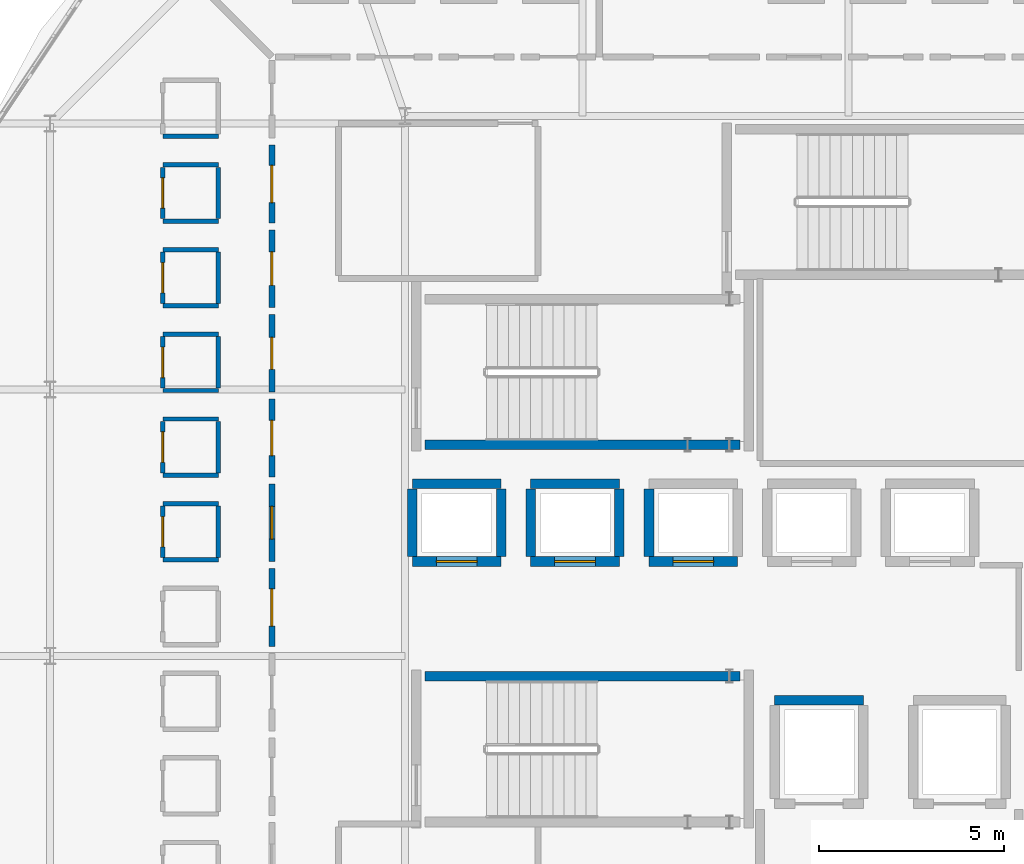
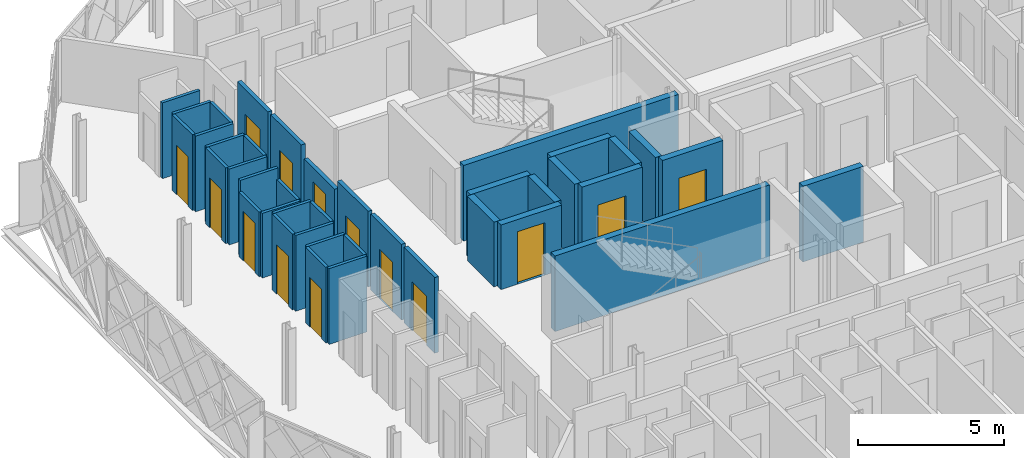
# One storey, part 15 of 25: 40 walls, 14 doors, 14 openings.
"""IFC4 building model written with IfcOpenShell, lengths in metres."""

from ifc_helpers import new_model, si_unit, direction, frame, frame_2d, origin, place, context, subcontext, project, spatial, rectangle, extrude, material, layer, layer_set, type_object, element, fill, save


model = new_model("IFC4")

# Units and contexts
model_context = context("Model", 3, precision=1e-05, world=origin(), true_north=direction((0.0, 1.0)))
body_context = subcontext(model_context, "Body", "Model", "MODEL_VIEW")
ifc_project = project(units=[si_unit("LENGTHUNIT", "METRE"), si_unit("AREAUNIT", "SQUARE_METRE"), si_unit("VOLUMEUNIT", "CUBIC_METRE"), si_unit("PLANEANGLEUNIT", "RADIAN"), si_unit("MASSUNIT", "GRAM", prefix="KILO")], contexts=[model_context])

# Site, building, storey
site_placement = place(None, origin())
site = spatial("IfcSite", under=ifc_project, at=site_placement, CompositionType="ELEMENT")
building_placement = place(site_placement, origin())
building = spatial("IfcBuilding", under=site, at=building_placement, Name="Zevrakil Square Congress Hotel", CompositionType="ELEMENT")
storey_placement = place(building_placement, frame((0.0, 0.0, 28.300048828125)))
storey = spatial("IfcBuildingStorey", under=building, at=storey_placement, Name="L08", CompositionType="ELEMENT", Elevation=28.300048828125)

# Wall, opening, door
ifc_material_1 = material(Name="Gypsum Acoustic Stud Partition")
ifc_layer_1 = layer(ifc_material_1, 0.159912109375)
ifc_layer_set_1 = layer_set([ifc_layer_1], Name="Gypsum Acoustic Stud Partition")
wall_type_1 = type_object("IfcWallType", Name="WAL-CORR-160", PredefinedType="PARTITIONING", material=ifc_layer_set_1)
wall_1_placement = place(storey_placement, frame((133.199951171875, 35.713134765625, 0.0), z_axis=(0.0, 0.0, 1.0), x_axis=(0.0, 1.0, 0.0)))
wall_1 = element("IfcWall", 1, at=wall_1_placement, inside=storey, type_object=wall_type_1, Name="L08 interior partition PW-L08-1298", PredefinedType="PARTITIONING", context=body_context, shape_type="SweptSolid", body=[
    extrude(rectangle(XDim=2.10107421875, YDim=0.159912109375, at=frame_2d((1.050537109375, 0.0))), origin(), (0.0, 0.0, 1.0), 3.175048828125),
])
opening_1_placement = place(wall_1_placement, frame((0.54638671875, 0.0, 0.0)))
opening_1 = element("IfcOpeningElement", 2, at=opening_1_placement, cuts=wall_1, Name="Opening ID-H14", PredefinedType="OPENING", context=body_context, shape_type="SweptSolid", body=[
    extrude(rectangle(XDim=1.008056640625, YDim=2.1298828125, at=frame_2d((0.50390625, 1.06494140625))), frame((0.0, 0.08984375, 0.0), z_axis=(0.0, -1.0, 0.0), x_axis=(1.0, 0.0, 0.0)), (0.0, 0.0, 1.0), 0.179931640625),
])
ifc_material_2 = material(Name="Acoustic Timber Fire Door", Category="wood")
door_type_1 = type_object("IfcDoorType", Name="DOR-INT-H14", OperationType="NOTDEFINED", PredefinedType="DOOR", material=ifc_material_2)
door_1_placement = place(opening_1_placement, origin())
door_1 = element("IfcDoor", 3, at=door_1_placement, inside=storey, type_object=door_type_1, Name="L08 interior door 507", OperationType="SINGLE_SWING_LEFT", OverallHeight=2.1298828125, OverallWidth=1.008056640625, PredefinedType="DOOR", context=body_context, shape_type="SweptSolid", body=[
    extrude(rectangle(XDim=1.008056640625, YDim=2.1298828125, at=frame_2d((0.50390625, 1.06494140625))), frame((0.0, 0.02490234375, 0.0), z_axis=(0.0, -1.0, 0.0), x_axis=(1.0, 0.0, 0.0)), (0.0, 0.0, 1.0), 0.050048828125),
])
fill(opening_1, door_1)

wall_2_placement = place(storey_placement, frame((133.199951171875, 33.42236328125, 0.0), z_axis=(0.0, 0.0, 1.0), x_axis=(0.0, 1.0, 0.0)))
wall_2 = element("IfcWall", 4, at=wall_2_placement, inside=storey, type_object=wall_type_1, Name="L08 interior partition PW-L08-1303", PredefinedType="PARTITIONING", context=body_context, shape_type="SweptSolid", body=[
    extrude(rectangle(XDim=2.100830078125, YDim=0.159912109375, at=frame_2d((1.05029296875, 0.0))), origin(), (0.0, 0.0, 1.0), 3.175048828125),
])
opening_2_placement = place(wall_2_placement, frame((0.597900390625, 0.0, 0.0)))
opening_2 = element("IfcOpeningElement", 5, at=opening_2_placement, cuts=wall_2, Name="Opening ID-G03", PredefinedType="OPENING", context=body_context, shape_type="SweptSolid", body=[
    extrude(rectangle(XDim=0.905029296875, YDim=2.050048828125, at=frame_2d((0.45263671875, 1.02490234375))), frame((0.0, 0.08984375, 0.0), z_axis=(0.0, -1.0, 0.0), x_axis=(1.0, 0.0, 0.0)), (0.0, 0.0, 1.0), 0.179931640625),
])
ifc_material_3 = material(Name="Acoustic Timber Fire Door", Category="wood")
door_type_2 = type_object("IfcDoorType", Name="DOR-INT-G03", OperationType="NOTDEFINED", PredefinedType="DOOR", material=ifc_material_3)
door_2_placement = place(opening_2_placement, origin())
door_2 = element("IfcDoor", 6, at=door_2_placement, inside=storey, type_object=door_type_2, Name="L08 interior door 509", OperationType="SINGLE_SWING_LEFT", OverallHeight=2.050048828125, OverallWidth=0.905029296875, PredefinedType="DOOR", context=body_context, shape_type="SweptSolid", body=[
    extrude(rectangle(XDim=0.905029296875, YDim=2.050048828125, at=frame_2d((0.45263671875, 1.02490234375))), frame((0.0, 0.02490234375, 0.0), z_axis=(0.0, -1.0, 0.0), x_axis=(1.0, 0.0, 0.0)), (0.0, 0.0, 1.0), 0.050048828125),
])
fill(opening_2, door_2)

wall_3_placement = place(storey_placement, frame((133.199951171875, 31.13134765625, 0.0), z_axis=(0.0, 0.0, 1.0), x_axis=(0.0, 1.0, 0.0)))
wall_3 = element("IfcWall", 7, at=wall_3_placement, inside=storey, type_object=wall_type_1, Name="L08 interior partition PW-L08-1308", PredefinedType="PARTITIONING", context=body_context, shape_type="SweptSolid", body=[
    extrude(rectangle(XDim=2.10107421875, YDim=0.159912109375, at=frame_2d((1.050537109375, 0.0))), origin(), (0.0, 0.0, 1.0), 2.7099609375),
])
opening_3_placement = place(wall_3_placement, frame((0.618408203125, 0.0, 0.0)))
opening_3 = element("IfcOpeningElement", 8, at=opening_3_placement, cuts=wall_3, Name="Opening ID-H02", PredefinedType="OPENING", context=body_context, shape_type="SweptSolid", body=[
    extrude(rectangle(XDim=0.864013671875, YDim=2.1298828125, at=frame_2d((0.43212890625, 1.06494140625))), frame((0.0, 0.08984375, 0.0), z_axis=(0.0, -1.0, 0.0), x_axis=(1.0, 0.0, 0.0)), (0.0, 0.0, 1.0), 0.179931640625),
])
ifc_material_4 = material(Name="Acoustic Timber Fire Door", Category="wood")
door_type_3 = type_object("IfcDoorType", Name="DOR-INT-H02", OperationType="NOTDEFINED", PredefinedType="DOOR", material=ifc_material_4)
door_3_placement = place(opening_3_placement, origin())
door_3 = element("IfcDoor", 9, at=door_3_placement, inside=storey, type_object=door_type_3, Name="L08 interior door 511", OperationType="SINGLE_SWING_LEFT", OverallHeight=2.1298828125, OverallWidth=0.864013671875, PredefinedType="DOOR", context=body_context, shape_type="SweptSolid", body=[
    extrude(rectangle(XDim=0.864013671875, YDim=2.1298828125, at=frame_2d((0.43212890625, 1.06494140625))), frame((0.0, 0.02490234375, 0.0), z_axis=(0.0, -1.0, 0.0), x_axis=(1.0, 0.0, 0.0)), (0.0, 0.0, 1.0), 0.050048828125),
])
fill(opening_3, door_3)

wall_4_placement = place(storey_placement, frame((133.199951171875, 28.840576171875, 0.0), z_axis=(0.0, 0.0, 1.0), x_axis=(0.0, 1.0, 0.0)))
wall_4 = element("IfcWall", 10, at=wall_4_placement, inside=storey, type_object=wall_type_1, Name="L08 interior partition PW-L08-1313", PredefinedType="PARTITIONING", context=body_context, shape_type="SweptSolid", body=[
    extrude(rectangle(XDim=2.100830078125, YDim=0.159912109375, at=frame_2d((1.05029296875, 0.0))), origin(), (0.0, 0.0, 1.0), 3.175048828125),
])
opening_4_placement = place(wall_4_placement, frame((0.572998046875, 0.0, 0.0)))
opening_4 = element("IfcOpeningElement", 11, at=opening_4_placement, cuts=wall_4, Name="Opening ID-G05", PredefinedType="OPENING", context=body_context, shape_type="SweptSolid", body=[
    extrude(rectangle(XDim=0.955078125, YDim=2.050048828125, at=frame_2d((0.4775390625, 1.02490234375))), frame((0.0, 0.08984375, 0.0), z_axis=(0.0, -1.0, 0.0), x_axis=(1.0, 0.0, 0.0)), (0.0, 0.0, 1.0), 0.179931640625),
])
ifc_material_5 = material(Name="Acoustic Timber Fire Door", Category="wood")
door_type_4 = type_object("IfcDoorType", Name="DOR-INT-G05", OperationType="NOTDEFINED", PredefinedType="DOOR", material=ifc_material_5)
door_4_placement = place(opening_4_placement, origin())
door_4 = element("IfcDoor", 12, at=door_4_placement, inside=storey, type_object=door_type_4, Name="L08 interior door 513", OperationType="SINGLE_SWING_LEFT", OverallHeight=2.050048828125, OverallWidth=0.955078125, PredefinedType="DOOR", context=body_context, shape_type="SweptSolid", body=[
    extrude(rectangle(XDim=0.955078125, YDim=2.050048828125, at=frame_2d((0.4775390625, 1.02490234375))), frame((0.0, 0.02490234375, 0.0), z_axis=(0.0, -1.0, 0.0), x_axis=(1.0, 0.0, 0.0)), (0.0, 0.0, 1.0), 0.050048828125),
])
fill(opening_4, door_4)

wall_5_placement = place(storey_placement, frame((133.199951171875, 26.549560546875, 0.0), z_axis=(0.0, 0.0, 1.0), x_axis=(0.0, 1.0, 0.0)))
wall_5 = element("IfcWall", 13, at=wall_5_placement, inside=storey, type_object=wall_type_1, Name="L08 interior partition PW-L08-1318", PredefinedType="PARTITIONING", context=body_context, shape_type="SweptSolid", body=[
    extrude(rectangle(XDim=2.100830078125, YDim=0.159912109375, at=frame_2d((1.05029296875, 0.0))), origin(), (0.0, 0.0, 1.0), 3.175048828125),
])
opening_5_placement = place(wall_5_placement, frame((0.6064453125, 0.0, 0.0)))
opening_5 = element("IfcOpeningElement", 14, at=opening_5_placement, cuts=wall_5, Name="Opening ID-H04", PredefinedType="OPENING", context=body_context, shape_type="SweptSolid", body=[
    extrude(rectangle(XDim=0.887939453125, YDim=2.070068359375, at=frame_2d((0.44384765625, 1.03515625))), frame((0.0, 0.08984375, 0.0), z_axis=(0.0, -1.0, 0.0), x_axis=(1.0, 0.0, 0.0)), (0.0, 0.0, 1.0), 0.179931640625),
])
ifc_material_6 = material(Name="Acoustic Timber Fire Door", Category="wood")
door_type_5 = type_object("IfcDoorType", Name="DOR-INT-H04", OperationType="NOTDEFINED", PredefinedType="DOOR", material=ifc_material_6)
door_5_placement = place(opening_5_placement, origin())
door_5 = element("IfcDoor", 15, at=door_5_placement, inside=storey, type_object=door_type_5, Name="L08 interior door 515", OperationType="SINGLE_SWING_LEFT", OverallHeight=2.070068359375, OverallWidth=0.887939453125, PredefinedType="DOOR", context=body_context, shape_type="SweptSolid", body=[
    extrude(rectangle(XDim=0.887939453125, YDim=2.070068359375, at=frame_2d((0.44384765625, 1.03515625))), frame((0.0, 0.02490234375, 0.0), z_axis=(0.0, -1.0, 0.0), x_axis=(1.0, 0.0, 0.0)), (0.0, 0.0, 1.0), 0.050048828125),
])
fill(opening_5, door_5)

wall_6_placement = place(storey_placement, frame((133.199951171875, 24.258544921875, 0.0), z_axis=(0.0, 0.0, 1.0), x_axis=(0.0, 1.0, 0.0)))
wall_6 = element("IfcWall", 16, at=wall_6_placement, inside=storey, type_object=wall_type_1, Name="L08 interior partition PW-L08-1323", PredefinedType="PARTITIONING", context=body_context, shape_type="SweptSolid", body=[
    extrude(rectangle(XDim=2.10107421875, YDim=0.159912109375, at=frame_2d((1.050537109375, 0.0))), origin(), (0.0, 0.0, 1.0), 3.175048828125),
])
opening_6_placement = place(wall_6_placement, frame((0.5478515625, 0.0, 0.0)))
opening_6 = element("IfcOpeningElement", 17, at=opening_6_placement, cuts=wall_6, Name="Opening ID-G07", PredefinedType="OPENING", context=body_context, shape_type="SweptSolid", body=[
    extrude(rectangle(XDim=1.0048828125, YDim=2.050048828125, at=frame_2d((0.50244140625, 1.02490234375))), frame((0.0, 0.08984375, 0.0), z_axis=(0.0, -1.0, 0.0), x_axis=(1.0, 0.0, 0.0)), (0.0, 0.0, 1.0), 0.179931640625),
])
ifc_material_7 = material(Name="Acoustic Timber Fire Door", Category="wood")
door_type_6 = type_object("IfcDoorType", Name="DOR-INT-G07", OperationType="NOTDEFINED", PredefinedType="DOOR", material=ifc_material_7)
door_6_placement = place(opening_6_placement, origin())
door_6 = element("IfcDoor", 18, at=door_6_placement, inside=storey, type_object=door_type_6, Name="L08 interior door 517", OperationType="SINGLE_SWING_LEFT", OverallHeight=2.050048828125, OverallWidth=1.0048828125, PredefinedType="DOOR", context=body_context, shape_type="SweptSolid", body=[
    extrude(rectangle(XDim=1.0048828125, YDim=2.050048828125, at=frame_2d((0.50244140625, 1.02490234375))), frame((0.0, 0.02490234375, 0.0), z_axis=(0.0, -1.0, 0.0), x_axis=(1.0, 0.0, 0.0)), (0.0, 0.0, 1.0), 0.050048828125),
])
fill(opening_6, door_6)

# Walls
ifc_material_8 = material(Name="Moisture-Resistant Gypsum Partition")
ifc_layer_2 = layer(ifc_material_8, 0.1201171875)
ifc_layer_set_2 = layer_set([ifc_layer_2], Name="Moisture-Resistant Gypsum Partition")
wall_type_2 = type_object("IfcWallType", Name="WAL-ENS-120", PredefinedType="PARTITIONING", material=ifc_layer_set_2)
for number, where, z_axis, x_axis, name in (
    (19, (130.25, 38.049072265625, 0.0), (0.0, 0.0, 1.0), (1.0, 0.0, 0.0), "L08 interior partition PW-L08-1294"),
    (20, (130.25, 35.75830078125, 0.0), (0.0, 0.0, 1.0), (1.0, 0.0, 0.0), "L08 interior partition PW-L08-1299"),
    (21, (130.25, 37.2783203125, 0.0), (0.0, 0.0, 1.0), (1.0, 0.0, 0.0), "L08 interior partition PW-L08-1300"),
):
    element("IfcWall", number, at=place(storey_placement, frame(where, z_axis=z_axis, x_axis=x_axis)), inside=storey, type_object=wall_type_2, Name=name, PredefinedType="PARTITIONING", context=body_context, shape_type="SweptSolid", body=[
        extrude(rectangle(XDim=1.5, YDim=0.1201171875, at=frame_2d((0.75, 0.0))), origin(), (0.0, 0.0, 1.0), 3.175048828125),
    ])

# Wall, opening, door
wall_7_placement = place(storey_placement, frame((130.25, 35.8232421875, 0.0), z_axis=(0.0, 0.0, 1.0), x_axis=(0.0, 1.0, 0.0)))
wall_7 = element("IfcWall", 22, at=wall_7_placement, inside=storey, type_object=wall_type_2, Name="L08 interior partition PW-L08-1301", PredefinedType="PARTITIONING", context=body_context, shape_type="SweptSolid", body=[
    extrude(rectangle(XDim=1.389892578125, YDim=0.1201171875, at=frame_2d((0.69482421875, 0.0))), origin(), (0.0, 0.0, 1.0), 3.175048828125),
])
opening_7_placement = place(wall_7_placement, frame((0.284912109375, 0.0, 0.0)))
opening_7 = element("IfcOpeningElement", 23, at=opening_7_placement, cuts=wall_7, Name="Opening ID-11", PredefinedType="OPENING", context=body_context, shape_type="SweptSolid", body=[
    extrude(rectangle(XDim=0.820068359375, YDim=2.080078125, at=frame_2d((0.41015625, 1.0400390625))), frame((0.0, 0.070068359375, 0.0), z_axis=(0.0, -1.0, 0.0), x_axis=(1.0, 0.0, 0.0)), (0.0, 0.0, 1.0), 0.14013671875),
])
ifc_material_9 = material(Name="Acoustic Timber Door", Category="wood")
door_type_7 = type_object("IfcDoorType", Name="DOR-INT-V01", OperationType="NOTDEFINED", PredefinedType="DOOR", material=ifc_material_9)
door_7_placement = place(opening_7_placement, origin())
door_7 = element("IfcDoor", 24, at=door_7_placement, inside=storey, type_object=door_type_7, Name="L08 interior door 508", OperationType="SINGLE_SWING_RIGHT", OverallHeight=2.080078125, OverallWidth=0.820068359375, PredefinedType="DOOR", context=body_context, shape_type="SweptSolid", body=[
    extrude(rectangle(XDim=0.820068359375, YDim=2.080078125, at=frame_2d((0.41015625, 1.0400390625))), frame((0.0, 0.02490234375, 0.0), z_axis=(0.0, -1.0, 0.0), x_axis=(1.0, 0.0, 0.0)), (0.0, 0.0, 1.0), 0.050048828125),
])
fill(opening_7, door_7)

# Walls
wall_8_placement = place(storey_placement, frame((131.75, 35.8232421875, 0.0), z_axis=(0.0, 0.0, 1.0), x_axis=(0.0, 1.0, 0.0)))
element("IfcWall", 25, at=wall_8_placement, inside=storey, type_object=wall_type_2, Name="L08 interior partition PW-L08-1302", PredefinedType="PARTITIONING", context=body_context, shape_type="SweptSolid", body=[
    extrude(rectangle(XDim=1.389892578125, YDim=0.1201171875, at=frame_2d((0.69482421875, 0.0))), origin(), (0.0, 0.0, 1.0), 3.175048828125),
])
for number, where, z_axis, x_axis, name in (
    (26, (130.25, 33.46728515625, 0.0), (0.0, 0.0, 1.0), (1.0, 0.0, 0.0), "L08 interior partition PW-L08-1304"),
    (27, (130.25, 34.9873046875, 0.0), (0.0, 0.0, 1.0), (1.0, 0.0, 0.0), "L08 interior partition PW-L08-1305"),
):
    element("IfcWall", number, at=place(storey_placement, frame(where, z_axis=z_axis, x_axis=x_axis)), inside=storey, type_object=wall_type_2, Name=name, PredefinedType="PARTITIONING", context=body_context, shape_type="SweptSolid", body=[
        extrude(rectangle(XDim=1.5, YDim=0.1201171875, at=frame_2d((0.75, 0.0))), origin(), (0.0, 0.0, 1.0), 3.175048828125),
    ])

# Wall, opening, door
wall_9_placement = place(storey_placement, frame((130.25, 33.5322265625, 0.0), z_axis=(0.0, 0.0, 1.0), x_axis=(0.0, 1.0, 0.0)))
wall_9 = element("IfcWall", 28, at=wall_9_placement, inside=storey, type_object=wall_type_2, Name="L08 interior partition PW-L08-1306", PredefinedType="PARTITIONING", context=body_context, shape_type="SweptSolid", body=[
    extrude(rectangle(XDim=1.39013671875, YDim=0.1201171875, at=frame_2d((0.695068359375, 0.0))), origin(), (0.0, 0.0, 1.0), 3.175048828125),
])
opening_8_placement = place(wall_9_placement, frame((0.284912109375, 0.0, 0.0)))
opening_8 = element("IfcOpeningElement", 29, at=opening_8_placement, cuts=wall_9, Name="Opening ID-11", PredefinedType="OPENING", context=body_context, shape_type="SweptSolid", body=[
    extrude(rectangle(XDim=0.820068359375, YDim=2.080078125, at=frame_2d((0.41015625, 1.0400390625))), frame((0.0, 0.070068359375, 0.0), z_axis=(0.0, -1.0, 0.0), x_axis=(1.0, 0.0, 0.0)), (0.0, 0.0, 1.0), 0.14013671875),
])
door_8_placement = place(opening_8_placement, origin())
door_8 = element("IfcDoor", 30, at=door_8_placement, inside=storey, type_object=door_type_7, Name="L08 interior door 510", OperationType="SINGLE_SWING_RIGHT", OverallHeight=2.080078125, OverallWidth=0.820068359375, PredefinedType="DOOR", context=body_context, shape_type="SweptSolid", body=[
    extrude(rectangle(XDim=0.820068359375, YDim=2.080078125, at=frame_2d((0.41015625, 1.0400390625))), frame((0.0, 0.02490234375, 0.0), z_axis=(0.0, -1.0, 0.0), x_axis=(1.0, 0.0, 0.0)), (0.0, 0.0, 1.0), 0.050048828125),
])
fill(opening_8, door_8)

# Walls
wall_10_placement = place(storey_placement, frame((131.75, 33.5322265625, 0.0), z_axis=(0.0, 0.0, 1.0), x_axis=(0.0, 1.0, 0.0)))
element("IfcWall", 31, at=wall_10_placement, inside=storey, type_object=wall_type_2, Name="L08 interior partition PW-L08-1307", PredefinedType="PARTITIONING", context=body_context, shape_type="SweptSolid", body=[
    extrude(rectangle(XDim=1.39013671875, YDim=0.1201171875, at=frame_2d((0.695068359375, 0.0))), origin(), (0.0, 0.0, 1.0), 3.175048828125),
])
wall_11_placement = place(storey_placement, frame((130.25, 31.176513671875, 0.0), z_axis=(0.0, 0.0, 1.0), x_axis=(1.0, 0.0, 0.0)))
element("IfcWall", 32, at=wall_11_placement, inside=storey, type_object=wall_type_2, Name="L08 interior partition PW-L08-1309", PredefinedType="PARTITIONING", context=body_context, shape_type="SweptSolid", body=[
    extrude(rectangle(XDim=1.5, YDim=0.1201171875, at=frame_2d((0.75, 0.0))), origin(), (0.0, 0.0, 1.0), 2.7099609375),
])
wall_12_placement = place(storey_placement, frame((130.25, 32.6962890625, 0.0), z_axis=(0.0, 0.0, 1.0), x_axis=(1.0, 0.0, 0.0)))
element("IfcWall", 33, at=wall_12_placement, inside=storey, type_object=wall_type_2, Name="L08 interior partition PW-L08-1310", PredefinedType="PARTITIONING", context=body_context, shape_type="SweptSolid", body=[
    extrude(rectangle(XDim=1.5, YDim=0.1201171875, at=frame_2d((0.75, 0.0))), origin(), (0.0, 0.0, 1.0), 3.175048828125),
])

# Wall, opening, door
wall_13_placement = place(storey_placement, frame((130.25, 31.241455078125, 0.0), z_axis=(0.0, 0.0, 1.0), x_axis=(0.0, 1.0, 0.0)))
wall_13 = element("IfcWall", 34, at=wall_13_placement, inside=storey, type_object=wall_type_2, Name="L08 interior partition PW-L08-1311", PredefinedType="PARTITIONING", context=body_context, shape_type="SweptSolid", body=[
    extrude(rectangle(XDim=1.389892578125, YDim=0.1201171875, at=frame_2d((0.69482421875, 0.0))), origin(), (0.0, 0.0, 1.0), 2.7099609375),
])
opening_9_placement = place(wall_13_placement, frame((0.284912109375, 0.0, 0.0)))
opening_9 = element("IfcOpeningElement", 35, at=opening_9_placement, cuts=wall_13, Name="Opening ID-11", PredefinedType="OPENING", context=body_context, shape_type="SweptSolid", body=[
    extrude(rectangle(XDim=0.820068359375, YDim=2.080078125, at=frame_2d((0.41015625, 1.0400390625))), frame((0.0, 0.070068359375, 0.0), z_axis=(0.0, -1.0, 0.0), x_axis=(1.0, 0.0, 0.0)), (0.0, 0.0, 1.0), 0.14013671875),
])
door_9_placement = place(opening_9_placement, origin())
door_9 = element("IfcDoor", 36, at=door_9_placement, inside=storey, type_object=door_type_7, Name="L08 interior door 512", OperationType="SINGLE_SWING_RIGHT", OverallHeight=2.080078125, OverallWidth=0.820068359375, PredefinedType="DOOR", context=body_context, shape_type="SweptSolid", body=[
    extrude(rectangle(XDim=0.820068359375, YDim=2.080078125, at=frame_2d((0.41015625, 1.0400390625))), frame((0.0, 0.02490234375, 0.0), z_axis=(0.0, -1.0, 0.0), x_axis=(1.0, 0.0, 0.0)), (0.0, 0.0, 1.0), 0.050048828125),
])
fill(opening_9, door_9)

# Walls
wall_14_placement = place(storey_placement, frame((131.75, 31.241455078125, 0.0), z_axis=(0.0, 0.0, 1.0), x_axis=(0.0, 1.0, 0.0)))
element("IfcWall", 37, at=wall_14_placement, inside=storey, type_object=wall_type_2, Name="L08 interior partition PW-L08-1312", PredefinedType="PARTITIONING", context=body_context, shape_type="SweptSolid", body=[
    extrude(rectangle(XDim=1.389892578125, YDim=0.1201171875, at=frame_2d((0.69482421875, 0.0))), origin(), (0.0, 0.0, 1.0), 2.7099609375),
])
for number, where, z_axis, x_axis, name in (
    (38, (130.25, 28.885498046875, 0.0), (0.0, 0.0, 1.0), (1.0, 0.0, 0.0), "L08 interior partition PW-L08-1314"),
    (39, (130.25, 30.405517578125, 0.0), (0.0, 0.0, 1.0), (1.0, 0.0, 0.0), "L08 interior partition PW-L08-1315"),
):
    element("IfcWall", number, at=place(storey_placement, frame(where, z_axis=z_axis, x_axis=x_axis)), inside=storey, type_object=wall_type_2, Name=name, PredefinedType="PARTITIONING", context=body_context, shape_type="SweptSolid", body=[
        extrude(rectangle(XDim=1.5, YDim=0.1201171875, at=frame_2d((0.75, 0.0))), origin(), (0.0, 0.0, 1.0), 3.175048828125),
    ])

# Wall, opening, door
wall_15_placement = place(storey_placement, frame((130.25, 28.950439453125, 0.0), z_axis=(0.0, 0.0, 1.0), x_axis=(0.0, 1.0, 0.0)))
wall_15 = element("IfcWall", 40, at=wall_15_placement, inside=storey, type_object=wall_type_2, Name="L08 interior partition PW-L08-1316", PredefinedType="PARTITIONING", context=body_context, shape_type="SweptSolid", body=[
    extrude(rectangle(XDim=1.39013671875, YDim=0.1201171875, at=frame_2d((0.695068359375, 0.0))), origin(), (0.0, 0.0, 1.0), 3.175048828125),
])
opening_10_placement = place(wall_15_placement, frame((0.284912109375, 0.0, 0.0)))
opening_10 = element("IfcOpeningElement", 41, at=opening_10_placement, cuts=wall_15, Name="Opening ID-11", PredefinedType="OPENING", context=body_context, shape_type="SweptSolid", body=[
    extrude(rectangle(XDim=0.820068359375, YDim=2.080078125, at=frame_2d((0.41015625, 1.0400390625))), frame((0.0, 0.070068359375, 0.0), z_axis=(0.0, -1.0, 0.0), x_axis=(1.0, 0.0, 0.0)), (0.0, 0.0, 1.0), 0.14013671875),
])
door_10_placement = place(opening_10_placement, origin())
door_10 = element("IfcDoor", 42, at=door_10_placement, inside=storey, type_object=door_type_7, Name="L08 interior door 514", OperationType="SINGLE_SWING_RIGHT", OverallHeight=2.080078125, OverallWidth=0.820068359375, PredefinedType="DOOR", context=body_context, shape_type="SweptSolid", body=[
    extrude(rectangle(XDim=0.820068359375, YDim=2.080078125, at=frame_2d((0.41015625, 1.0400390625))), frame((0.0, 0.02490234375, 0.0), z_axis=(0.0, -1.0, 0.0), x_axis=(1.0, 0.0, 0.0)), (0.0, 0.0, 1.0), 0.050048828125),
])
fill(opening_10, door_10)

# Walls
wall_16_placement = place(storey_placement, frame((131.75, 28.950439453125, 0.0), z_axis=(0.0, 0.0, 1.0), x_axis=(0.0, 1.0, 0.0)))
element("IfcWall", 43, at=wall_16_placement, inside=storey, type_object=wall_type_2, Name="L08 interior partition PW-L08-1317", PredefinedType="PARTITIONING", context=body_context, shape_type="SweptSolid", body=[
    extrude(rectangle(XDim=1.39013671875, YDim=0.1201171875, at=frame_2d((0.695068359375, 0.0))), origin(), (0.0, 0.0, 1.0), 3.175048828125),
])
for number, where, z_axis, x_axis, name in (
    (44, (130.25, 26.594482421875, 0.0), (0.0, 0.0, 1.0), (1.0, 0.0, 0.0), "L08 interior partition PW-L08-1319"),
    (45, (130.25, 28.114501953125, 0.0), (0.0, 0.0, 1.0), (1.0, 0.0, 0.0), "L08 interior partition PW-L08-1320"),
):
    element("IfcWall", number, at=place(storey_placement, frame(where, z_axis=z_axis, x_axis=x_axis)), inside=storey, type_object=wall_type_2, Name=name, PredefinedType="PARTITIONING", context=body_context, shape_type="SweptSolid", body=[
        extrude(rectangle(XDim=1.5, YDim=0.1201171875, at=frame_2d((0.75, 0.0))), origin(), (0.0, 0.0, 1.0), 3.175048828125),
    ])

# Wall, opening, door
wall_17_placement = place(storey_placement, frame((130.25, 26.65966796875, 0.0), z_axis=(0.0, 0.0, 1.0), x_axis=(0.0, 1.0, 0.0)))
wall_17 = element("IfcWall", 46, at=wall_17_placement, inside=storey, type_object=wall_type_2, Name="L08 interior partition PW-L08-1321", PredefinedType="PARTITIONING", context=body_context, shape_type="SweptSolid", body=[
    extrude(rectangle(XDim=1.389892578125, YDim=0.1201171875, at=frame_2d((0.69482421875, 0.0))), origin(), (0.0, 0.0, 1.0), 3.175048828125),
])
opening_11_placement = place(wall_17_placement, frame((0.284912109375, 0.0, 0.0)))
opening_11 = element("IfcOpeningElement", 47, at=opening_11_placement, cuts=wall_17, Name="Opening ID-11", PredefinedType="OPENING", context=body_context, shape_type="SweptSolid", body=[
    extrude(rectangle(XDim=0.820068359375, YDim=2.080078125, at=frame_2d((0.41015625, 1.0400390625))), frame((0.0, 0.070068359375, 0.0), z_axis=(0.0, -1.0, 0.0), x_axis=(1.0, 0.0, 0.0)), (0.0, 0.0, 1.0), 0.14013671875),
])
door_11_placement = place(opening_11_placement, origin())
door_11 = element("IfcDoor", 48, at=door_11_placement, inside=storey, type_object=door_type_7, Name="L08 interior door 516", OperationType="SINGLE_SWING_RIGHT", OverallHeight=2.080078125, OverallWidth=0.820068359375, PredefinedType="DOOR", context=body_context, shape_type="SweptSolid", body=[
    extrude(rectangle(XDim=0.820068359375, YDim=2.080078125, at=frame_2d((0.41015625, 1.0400390625))), frame((0.0, 0.02490234375, 0.0), z_axis=(0.0, -1.0, 0.0), x_axis=(1.0, 0.0, 0.0)), (0.0, 0.0, 1.0), 0.050048828125),
])
fill(opening_11, door_11)

# Walls
wall_18_placement = place(storey_placement, frame((131.75, 26.65966796875, 0.0), z_axis=(0.0, 0.0, 1.0), x_axis=(0.0, 1.0, 0.0)))
element("IfcWall", 49, at=wall_18_placement, inside=storey, type_object=wall_type_2, Name="L08 interior partition PW-L08-1322", PredefinedType="PARTITIONING", context=body_context, shape_type="SweptSolid", body=[
    extrude(rectangle(XDim=1.389892578125, YDim=0.1201171875, at=frame_2d((0.69482421875, 0.0))), origin(), (0.0, 0.0, 1.0), 3.175048828125),
])
ifc_material_10 = material(Name="Concrete C40/50", Category="concrete")
ifc_layer_3 = layer(ifc_material_10, 0.260009765625)
ifc_layer_set_3 = layer_set([ifc_layer_3], Name="Concrete C40/50")
wall_type_3 = type_object("IfcWallType", Name="WAL-SHAFT-260", PredefinedType="SHEAR", material=ifc_layer_set_3)
for number, where, z_axis, x_axis, name in (
    (50, (137.340087890625, 23.445068359375, 0.0), (0.0, 0.0, 1.0), (1.0, 0.0, 0.0), "L08 ST01 stair shaft N wall"),
    (51, (137.340087890625, 29.705078125, 0.0), (0.0, 0.0, 1.0), (1.0, 0.0, 0.0), "L08 ST02 stair shaft S wall"),
):
    element("IfcWall", number, at=place(storey_placement, frame(where, z_axis=z_axis, x_axis=x_axis)), inside=storey, type_object=wall_type_3, Name=name, PredefinedType="SHEAR", context=body_context, shape_type="SweptSolid", body=[
        extrude(rectangle(XDim=8.52001953125, YDim=0.260009765625, at=frame_2d((4.260009765625, 0.0))), origin(), (0.0, 0.0, 1.0), 3.175048828125),
    ])

# Wall, opening, door
wall_19_placement = place(storey_placement, frame((137.0, 26.550048828125, 0.0), z_axis=(0.0, 0.0, 1.0), x_axis=(1.0, 0.0, 0.0)))
wall_19 = element("IfcWall", 52, at=wall_19_placement, inside=storey, type_object=wall_type_3, Name="L08 HL1 lift shaft wall", PredefinedType="SHEAR", context=body_context, shape_type="SweptSolid", body=[
    extrude(rectangle(XDim=2.39990234375, YDim=0.260009765625, at=frame_2d((1.199951171875, 0.0))), origin(), (0.0, 0.0, 1.0), 2.7099609375),
])
opening_12_placement = place(wall_19_placement, frame((0.64990234375, 0.0, 0.0)))
opening_12 = element("IfcOpeningElement", 53, at=opening_12_placement, cuts=wall_19, Name="Opening LD-HL1", PredefinedType="OPENING", context=body_context, shape_type="SweptSolid", body=[
    extrude(rectangle(XDim=1.10009765625, YDim=2.199951171875, at=frame_2d((0.550048828125, 1.10009765625))), frame((0.0, 0.14013671875, 0.0), z_axis=(0.0, -1.0, 0.0), x_axis=(1.0, 0.0, 0.0)), (0.0, 0.0, 1.0), 0.280029296875),
])
ifc_material_11 = material(Name="Stainless Steel Sliding Lift Landing Door", Category="steel")
door_type_8 = type_object("IfcDoorType", Name="DOR-LIFT-LD110", OperationType="NOTDEFINED", PredefinedType="DOOR", material=ifc_material_11)
door_12_placement = place(opening_12_placement, origin())
door_12 = element("IfcDoor", 54, at=door_12_placement, inside=storey, type_object=door_type_8, Name="L08 HL1 sliding lift landing door", OperationType="SLIDING_TO_LEFT", OverallHeight=2.199951171875, OverallWidth=1.10009765625, PredefinedType="DOOR", context=body_context, shape_type="SweptSolid", body=[
    extrude(rectangle(XDim=1.10009765625, YDim=2.199951171875, at=frame_2d((0.550048828125, 1.10009765625))), frame((0.0, 0.02490234375, 0.0), z_axis=(0.0, -1.0, 0.0), x_axis=(1.0, 0.0, 0.0)), (0.0, 0.0, 1.0), 0.050048828125),
])
fill(opening_12, door_12)

# Walls
wall_20_placement = place(storey_placement, frame((137.0, 28.64990234375, 0.0), z_axis=(0.0, 0.0, 1.0), x_axis=(1.0, 0.0, 0.0)))
element("IfcWall", 55, at=wall_20_placement, inside=storey, type_object=wall_type_3, Name="L08 HL1 lift shaft wall", PredefinedType="SHEAR", context=body_context, shape_type="SweptSolid", body=[
    extrude(rectangle(XDim=2.39990234375, YDim=0.260009765625, at=frame_2d((1.199951171875, 0.0))), origin(), (0.0, 0.0, 1.0), 2.7099609375),
])
for number, where, z_axis, x_axis, name in (
    (56, (137.0, 26.68994140625, 0.0), (0.0, 0.0, 1.0), (0.0, 1.0, 0.0), "L08 HL1 lift shaft wall"),
    (57, (139.39990234375, 26.68994140625, 0.0), (0.0, 0.0, 1.0), (0.0, 1.0, 0.0), "L08 HL1 lift shaft wall"),
):
    element("IfcWall", number, at=place(storey_placement, frame(where, z_axis=z_axis, x_axis=x_axis)), inside=storey, type_object=wall_type_3, Name=name, PredefinedType="SHEAR", context=body_context, shape_type="SweptSolid", body=[
        extrude(rectangle(XDim=1.820068359375, YDim=0.260009765625, at=frame_2d((0.91015625, 0.0))), origin(), (0.0, 0.0, 1.0), 2.7099609375),
    ])

# Wall, opening, door
wall_21_placement = place(storey_placement, frame((140.199951171875, 26.550048828125, 0.0), z_axis=(0.0, 0.0, 1.0), x_axis=(1.0, 0.0, 0.0)))
wall_21 = element("IfcWall", 58, at=wall_21_placement, inside=storey, type_object=wall_type_3, Name="L08 HL2 lift shaft wall", PredefinedType="SHEAR", context=body_context, shape_type="SweptSolid", body=[
    extrude(rectangle(XDim=2.400146484375, YDim=0.260009765625, at=frame_2d((1.2001953125, 0.0))), origin(), (0.0, 0.0, 1.0), 3.175048828125),
])
opening_13_placement = place(wall_21_placement, frame((0.64990234375, 0.0, 0.0)))
opening_13 = element("IfcOpeningElement", 59, at=opening_13_placement, cuts=wall_21, Name="Opening LD-HL2", PredefinedType="OPENING", context=body_context, shape_type="SweptSolid", body=[
    extrude(rectangle(XDim=1.10009765625, YDim=2.199951171875, at=frame_2d((0.550048828125, 1.10009765625))), frame((0.0, 0.14013671875, 0.0), z_axis=(0.0, -1.0, 0.0), x_axis=(1.0, 0.0, 0.0)), (0.0, 0.0, 1.0), 0.280029296875),
])
door_13_placement = place(opening_13_placement, origin())
door_13 = element("IfcDoor", 60, at=door_13_placement, inside=storey, type_object=door_type_8, Name="L08 HL2 sliding lift landing door", OperationType="SLIDING_TO_RIGHT", OverallHeight=2.199951171875, OverallWidth=1.10009765625, PredefinedType="DOOR", context=body_context, shape_type="SweptSolid", body=[
    extrude(rectangle(XDim=1.10009765625, YDim=2.199951171875, at=frame_2d((0.550048828125, 1.10009765625))), frame((0.0, 0.02490234375, 0.0), z_axis=(0.0, -1.0, 0.0), x_axis=(1.0, 0.0, 0.0)), (0.0, 0.0, 1.0), 0.050048828125),
])
fill(opening_13, door_13)

# Walls
wall_22_placement = place(storey_placement, frame((140.199951171875, 28.64990234375, 0.0), z_axis=(0.0, 0.0, 1.0), x_axis=(1.0, 0.0, 0.0)))
element("IfcWall", 61, at=wall_22_placement, inside=storey, type_object=wall_type_3, Name="L08 HL2 lift shaft wall", PredefinedType="SHEAR", context=body_context, shape_type="SweptSolid", body=[
    extrude(rectangle(XDim=2.400146484375, YDim=0.260009765625, at=frame_2d((1.2001953125, 0.0))), origin(), (0.0, 0.0, 1.0), 3.175048828125),
])
for number, where, z_axis, x_axis, name in (
    (62, (140.199951171875, 26.68994140625, 0.0), (0.0, 0.0, 1.0), (0.0, 1.0, 0.0), "L08 HL2 lift shaft wall"),
    (63, (142.60009765625, 26.68994140625, 0.0), (0.0, 0.0, 1.0), (0.0, 1.0, 0.0), "L08 HL2 lift shaft wall"),
):
    element("IfcWall", number, at=place(storey_placement, frame(where, z_axis=z_axis, x_axis=x_axis)), inside=storey, type_object=wall_type_3, Name=name, PredefinedType="SHEAR", context=body_context, shape_type="SweptSolid", body=[
        extrude(rectangle(XDim=1.820068359375, YDim=0.260009765625, at=frame_2d((0.91015625, 0.0))), origin(), (0.0, 0.0, 1.0), 3.175048828125),
    ])

# Wall, opening, door
wall_23_placement = place(storey_placement, frame((143.39990234375, 26.550048828125, 0.0), z_axis=(0.0, 0.0, 1.0), x_axis=(1.0, 0.0, 0.0)))
wall_23 = element("IfcWall", 64, at=wall_23_placement, inside=storey, type_object=wall_type_3, Name="L08 HL3 lift shaft wall", PredefinedType="SHEAR", context=body_context, shape_type="SweptSolid", body=[
    extrude(rectangle(XDim=2.400146484375, YDim=0.260009765625, at=frame_2d((1.2001953125, 0.0))), origin(), (0.0, 0.0, 1.0), 3.175048828125),
])
opening_14_placement = place(wall_23_placement, frame((0.64990234375, 0.0, 0.0)))
opening_14 = element("IfcOpeningElement", 65, at=opening_14_placement, cuts=wall_23, Name="Opening LD-HL3", PredefinedType="OPENING", context=body_context, shape_type="SweptSolid", body=[
    extrude(rectangle(XDim=1.10009765625, YDim=2.199951171875, at=frame_2d((0.550048828125, 1.10009765625))), frame((0.0, 0.14013671875, 0.0), z_axis=(0.0, -1.0, 0.0), x_axis=(1.0, 0.0, 0.0)), (0.0, 0.0, 1.0), 0.280029296875),
])
door_14_placement = place(opening_14_placement, origin())
door_14 = element("IfcDoor", 66, at=door_14_placement, inside=storey, type_object=door_type_8, Name="L08 HL3 sliding lift landing door", OperationType="SLIDING_TO_LEFT", OverallHeight=2.199951171875, OverallWidth=1.10009765625, PredefinedType="DOOR", context=body_context, shape_type="SweptSolid", body=[
    extrude(rectangle(XDim=1.10009765625, YDim=2.199951171875, at=frame_2d((0.550048828125, 1.10009765625))), frame((0.0, 0.02490234375, 0.0), z_axis=(0.0, -1.0, 0.0), x_axis=(1.0, 0.0, 0.0)), (0.0, 0.0, 1.0), 0.050048828125),
])
fill(opening_14, door_14)

# Walls
wall_24_placement = place(storey_placement, frame((143.39990234375, 26.68994140625, 0.0), z_axis=(0.0, 0.0, 1.0), x_axis=(0.0, 1.0, 0.0)))
element("IfcWall", 67, at=wall_24_placement, inside=storey, type_object=wall_type_3, Name="L08 HL3 lift shaft wall", PredefinedType="SHEAR", context=body_context, shape_type="SweptSolid", body=[
    extrude(rectangle(XDim=1.820068359375, YDim=0.260009765625, at=frame_2d((0.91015625, 0.0))), origin(), (0.0, 0.0, 1.0), 3.175048828125),
])
wall_25_placement = place(storey_placement, frame((146.800048828125, 22.800048828125, 0.0), z_axis=(0.0, 0.0, 1.0), x_axis=(1.0, 0.0, 0.0)))
element("IfcWall", 68, at=wall_25_placement, inside=storey, type_object=wall_type_3, Name="L08 FFL1 lift shaft wall", PredefinedType="SHEAR", context=body_context, shape_type="SweptSolid", body=[
    extrude(rectangle(XDim=2.39990234375, YDim=0.260009765625, at=frame_2d((1.199951171875, 0.0))), origin(), (0.0, 0.0, 1.0), 3.175048828125),
])

save(model, "model.ifc")
